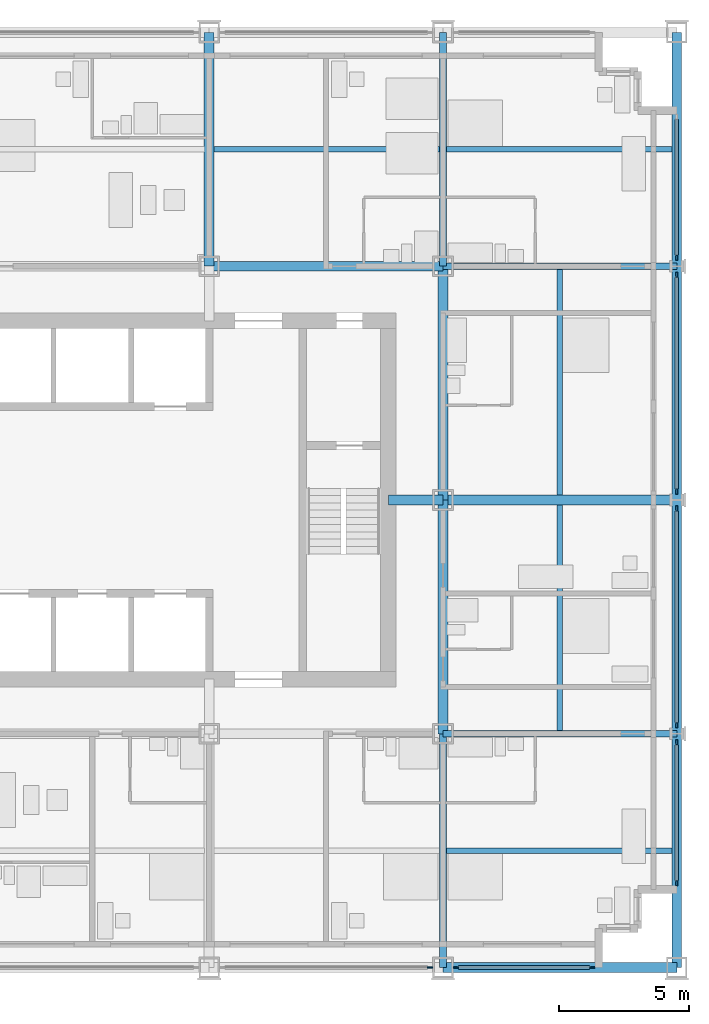
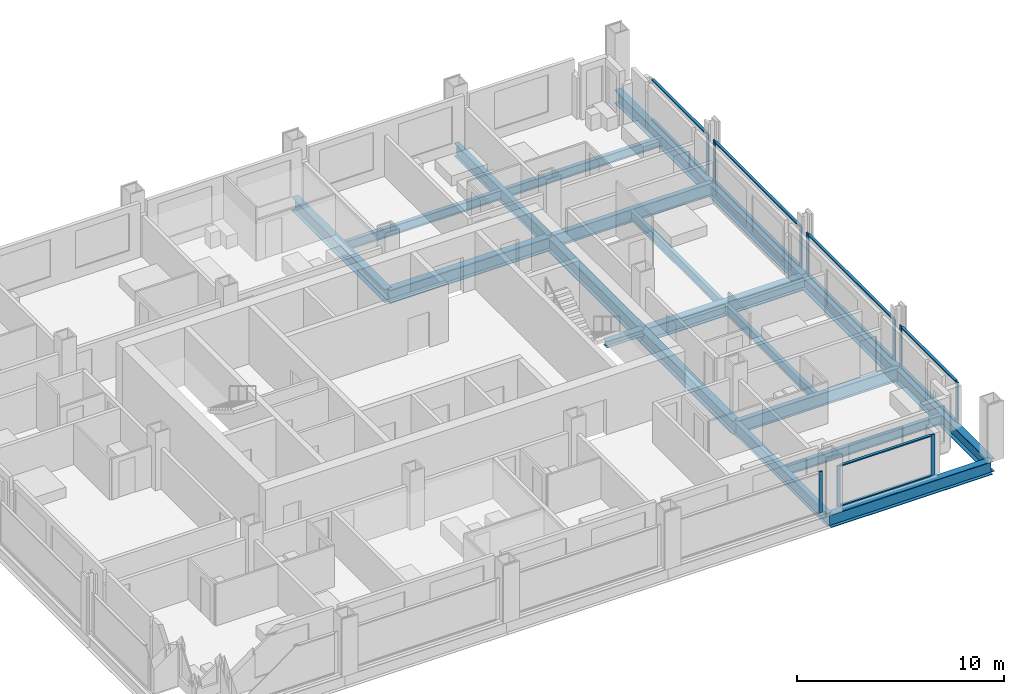
# One storey, part 5 of 16: 21 members, 19 beams, 6 elements without a shape of their own.
"""IFC4 building model written with IfcOpenShell, lengths in metres."""

from ifc_helpers import new_model, si_unit, direction, frame, origin, origin_2d, place, context, subcontext, project, spatial, rectangle, i_section, extrude, material, material_profile, profile_set, type_object, element, aggregate, save


model = new_model("IFC4")

# Units and contexts
model_context = context("Model", 3, precision=1e-05, world=origin(), true_north=direction((0.0, 1.0)))
body_context = subcontext(model_context, "Body", "Model", "MODEL_VIEW")
ifc_project = project(units=[si_unit("LENGTHUNIT", "METRE"), si_unit("AREAUNIT", "SQUARE_METRE"), si_unit("VOLUMEUNIT", "CUBIC_METRE"), si_unit("PLANEANGLEUNIT", "RADIAN"), si_unit("MASSUNIT", "GRAM", prefix="KILO")], contexts=[model_context])

# Site, building, storey
site_placement = place(None, origin())
site = spatial("IfcSite", under=ifc_project, at=site_placement, CompositionType="ELEMENT")
building_placement = place(site_placement, origin())
building = spatial("IfcBuilding", under=site, at=building_placement, Name="Loomwork Tower", CompositionType="ELEMENT")
storey_placement = place(building_placement, frame((0.0, 0.0, 121.39990234375)))
storey = spatial("IfcBuildingStorey", under=building, at=storey_placement, Name="L32", CompositionType="ELEMENT", Elevation=121.39990234375)

# Beams
ifc_material_1 = material(Name="Steel ASTM A992", Category="steel")
ifc_material_profile_1 = material_profile(ifc_material_1, i_section(OverallWidth=0.383544921875, OverallDepth=0.794921875, WebThickness=0.02099609375, FlangeThickness=0.0380859375, at=origin_2d()), Name="W30x235")
ifc_profile_set_1 = profile_set([ifc_material_profile_1], Name="Steel ASTM A992")
beam_type_1 = type_object("IfcBeamType", Name="CORE FLANK GIRDER W30x235", PredefinedType="BEAM", material=ifc_profile_set_1)
for number, where, z_axis, x_axis, name in (
    (1, (36.0, 18.0, -0.597412109375), (1.0, 0.0, 0.0), (0.0, 1.0, 0.0), "Core Flank Girder F/6-F/7 L32"),
    (2, (27.0, 27.0, -0.597412109375), (1.0, 0.0, 0.0), (0.0, 1.0, 0.0), "Core Flank Girder G/5-G/6 L32"),
    (3, (27.0, 27.0, -0.597412109375), (0.0, 1.0, 0.0), (-1.0, 0.0, 0.0), "Core Flank Girder G/5-H/5 L32"),
    (4, (36.0, 9.0, -0.597412109375), (0.0, 1.0, 0.0), (-1.0, 0.0, 0.0), "Core Flank Girder E/6-F/6 L32"),
    (5, (36.0, 18.0, -0.597412109375), (0.0, 1.0, 0.0), (-1.0, 0.0, 0.0), "Core Flank Girder F/6-G/6 L32"),
):
    element("IfcBeam", number, at=place(storey_placement, frame(where, z_axis=z_axis, x_axis=x_axis)), inside=storey, type_object=beam_type_1, Name=name, PredefinedType="BEAM", context=body_context, shape_type="SweptSolid", body=[
        extrude(i_section(OverallWidth=0.383544921875, OverallDepth=0.794921875, WebThickness=0.02099609375, FlangeThickness=0.0380859375, at=origin_2d()), origin(), (0.0, 0.0, 1.0), 9.0),
    ])

# Member
ifc_material_2 = material(Name="Steel ASTM A992", Category="steel")
ifc_material_profile_2 = material_profile(ifc_material_2, i_section(OverallWidth=0.373291015625, OverallDepth=0.373291015625, WebThickness=0.016357421875, FlangeThickness=0.026123046875, at=origin_2d()), Name="W14x132")
ifc_profile_set_2 = profile_set([ifc_material_profile_2], Name="Steel ASTM A992")
member_type_1 = type_object("IfcMemberType", Name="CORE LINK STRUT W14x132", PredefinedType="STRUT", material=ifc_profile_set_2)
member_1_placement = place(storey_placement, frame((36.0, 18.0, -0.386474609375), z_axis=(-1.0, 0.0, 0.0), x_axis=(0.0, -1.0, 0.0)))
element("IfcMember", 6, at=member_1_placement, inside=storey, type_object=member_type_1, Name="Core link strut F/6-33.900,18.000 L32", PredefinedType="STRUT", context=body_context, shape_type="SweptSolid", body=[
    extrude(i_section(OverallWidth=0.373291015625, OverallDepth=0.373291015625, WebThickness=0.016357421875, FlangeThickness=0.026123046875, at=origin_2d()), origin(), (0.0, 0.0, 1.0), 2.10009765625),
])

# Beams
ifc_material_3 = material(Name="Steel ASTM A992", Category="steel")
ifc_material_profile_3 = material_profile(ifc_material_3, i_section(OverallWidth=0.2666015625, OverallDepth=0.761962890625, WebThickness=0.014404296875, FlangeThickness=0.021484375, at=origin_2d()), Name="W30x116")
ifc_profile_set_3 = profile_set([ifc_material_profile_3], Name="Steel ASTM A992")
beam_type_2 = type_object("IfcBeamType", Name="FLOOR GIRDER W30x116", PredefinedType="BEAM", material=ifc_profile_set_3)
for number, where, z_axis, x_axis, name in (
    (7, (36.0, 9.0, -0.580810546875), (1.0, 0.0, 0.0), (0.0, 1.0, 0.0), "Floor Girder E/6-E/7 L32"),
    (8, (36.0, 27.0, -0.580810546875), (1.0, 0.0, 0.0), (0.0, 1.0, 0.0), "Floor Girder G/6-G/7 L32"),
    (9, (36.0, 0.0, -0.580810546875), (0.0, 1.0, 0.0), (-1.0, 0.0, 0.0), "Floor Girder D/6-E/6 L32"),
    (10, (36.0, 27.0, -0.580810546875), (0.0, 1.0, 0.0), (-1.0, 0.0, 0.0), "Floor Girder G/6-H/6 L32"),
):
    element("IfcBeam", number, at=place(storey_placement, frame(where, z_axis=z_axis, x_axis=x_axis)), inside=storey, type_object=beam_type_2, Name=name, PredefinedType="BEAM", context=body_context, shape_type="SweptSolid", body=[
        extrude(i_section(OverallWidth=0.2666015625, OverallDepth=0.761962890625, WebThickness=0.014404296875, FlangeThickness=0.021484375, at=origin_2d()), origin(), (0.0, 0.0, 1.0), 9.0),
    ])
ifc_material_4 = material(Name="Steel ASTM A992", Category="steel")
ifc_material_profile_4 = material_profile(ifc_material_4, i_section(OverallWidth=0.2109375, OverallDepth=0.53857421875, WebThickness=0.011474609375, FlangeThickness=0.018798828125, at=origin_2d()), Name="W21x73")
ifc_profile_set_4 = profile_set([ifc_material_profile_4], Name="Steel ASTM A992")
beam_type_3 = type_object("IfcBeamType", Name="FLOOR JOIST W21x73", PredefinedType="JOIST", material=ifc_profile_set_4)
beam_1_placement = place(storey_placement, frame((27.19091796875, 31.5, -0.46923828125), z_axis=(1.0, 0.0, 0.0), x_axis=(0.0, 1.0, 0.0)))
element("IfcBeam", 11, at=beam_1_placement, inside=storey, type_object=beam_type_3, Name="Floor Joist 27.000,31.500-36.000,31.500 L32", PredefinedType="JOIST", context=body_context, shape_type="SweptSolid", body=[
    extrude(i_section(OverallWidth=0.2109375, OverallDepth=0.53857421875, WebThickness=0.011474609375, FlangeThickness=0.018798828125, at=origin_2d()), origin(), (0.0, 0.0, 1.0), 8.676025390625),
])
beam_2_placement = place(storey_placement, frame((36.133056640625, 4.5, -0.46923828125), z_axis=(1.0, 0.0, 0.0), x_axis=(0.0, 1.0, 0.0)))
element("IfcBeam", 12, at=beam_2_placement, inside=storey, type_object=beam_type_3, Name="Floor Joist 36.000,4.500-45.000,4.500 L32", PredefinedType="JOIST", context=body_context, shape_type="SweptSolid", body=[
    extrude(i_section(OverallWidth=0.2109375, OverallDepth=0.53857421875, WebThickness=0.011474609375, FlangeThickness=0.018798828125, at=origin_2d()), origin(), (0.0, 0.0, 1.0), 8.677001953125),
])
for number, where, z_axis, x_axis, name in (
    (13, (40.5, 9.133056640625, -0.46923828125), (0.0, 1.0, 0.0), (-1.0, 0.0, 0.0), "Floor Joist 40.500,9.000-40.500,18.000 L32"),
    (14, (40.5, 18.19091796875, -0.46923828125), (0.0, 1.0, 0.0), (-1.0, 0.0, 0.0), "Floor Joist 40.500,18.000-40.500,27.000 L32"),
):
    element("IfcBeam", number, at=place(storey_placement, frame(where, z_axis=z_axis, x_axis=x_axis)), inside=storey, type_object=beam_type_3, Name=name, PredefinedType="JOIST", context=body_context, shape_type="SweptSolid", body=[
        extrude(i_section(OverallWidth=0.2109375, OverallDepth=0.53857421875, WebThickness=0.011474609375, FlangeThickness=0.018798828125, at=origin_2d()), origin(), (0.0, 0.0, 1.0), 8.676025390625),
    ])
beam_3_placement = place(storey_placement, frame((36.133056640625, 31.5, -0.46923828125), z_axis=(1.0, 0.0, 0.0), x_axis=(0.0, 1.0, 0.0)))
element("IfcBeam", 15, at=beam_3_placement, inside=storey, type_object=beam_type_3, Name="Floor Joist 36.000,31.500-45.000,31.500 L32", PredefinedType="JOIST", context=body_context, shape_type="SweptSolid", body=[
    extrude(i_section(OverallWidth=0.2109375, OverallDepth=0.53857421875, WebThickness=0.011474609375, FlangeThickness=0.018798828125, at=origin_2d()), origin(), (0.0, 0.0, 1.0), 8.677001953125),
])

# Curtain wall, member
ifc_material_5 = material(Name="Aluminium curtain wall frame", Category="aluminium")
curtain_wall_type = type_object("IfcCurtainWallType", Name="Outer skin glazing hotel", PredefinedType="NOTDEFINED", material=ifc_material_5)
curtain_wall_1_placement = place(storey_placement, origin())
curtain_wall_1 = element("IfcCurtainWall", 16, at=curtain_wall_1_placement, inside=storey, type_object=curtain_wall_type, Name="Outer skin glazing hotel cw/S-27", PredefinedType="NOTDEFINED")
ifc_material_6 = material(Name="Aluminium curtain wall frame", Category="aluminium")
ifc_material_profile_5 = material_profile(ifc_material_6, rectangle(XDim=0.06494140625, YDim=0.199951171875, at=origin_2d()), Name="AL 65x200")
ifc_profile_set_5 = profile_set([ifc_material_profile_5], Name="Aluminium curtain wall frame")
member_type_2 = type_object("IfcMemberType", Name="Outer skin glazing hotel mullion", PredefinedType="MULLION", material=ifc_profile_set_5)
member_2_placement = place(storey_placement, frame((35.5, 0.0, 0.0), z_axis=(0.0, 0.0, 1.0), x_axis=(0.0, 1.0, 0.0)))
member_2 = element("IfcMember", 17, at=member_2_placement, type_object=member_type_2, Name="CW1 mullion 2", PredefinedType="MULLION", context=body_context, shape_type="SweptSolid", body=[
    extrude(rectangle(XDim=0.06494140625, YDim=0.199951171875, at=origin_2d()), origin(), (0.0, 0.0, 1.0), 2.42041015625),
])
aggregate(curtain_wall_1, [member_2])

# Curtain wall, members
curtain_wall_2_placement = place(storey_placement, origin())
curtain_wall_2 = element("IfcCurtainWall", 18, at=curtain_wall_2_placement, inside=storey, type_object=curtain_wall_type, Name="Outer skin glazing hotel cw/S-36", PredefinedType="NOTDEFINED")
member_3_placement = place(storey_placement, frame((36.5, 0.0, 0.0), z_axis=(0.0, 0.0, 1.0), x_axis=(0.0, 1.0, 0.0)))
member_3 = element("IfcMember", 19, at=member_3_placement, type_object=member_type_2, Name="CW1 mullion 1", PredefinedType="MULLION", context=body_context, shape_type="SweptSolid", body=[
    extrude(rectangle(XDim=0.06494140625, YDim=0.199951171875, at=origin_2d()), origin(), (0.0, 0.0, 1.0), 2.42041015625),
])
member_4_placement = place(storey_placement, frame((41.75, 0.0, 0.0), z_axis=(0.0, 0.0, 1.0), x_axis=(0.0, 1.0, 0.0)))
member_4 = element("IfcMember", 20, at=member_4_placement, type_object=member_type_2, Name="CW1 mullion 2", PredefinedType="MULLION", context=body_context, shape_type="SweptSolid", body=[
    extrude(rectangle(XDim=0.06494140625, YDim=0.199951171875, at=origin_2d()), origin(), (0.0, 0.0, 1.0), 2.42041015625),
])

curtain_wall_3_placement = place(storey_placement, origin())
curtain_wall_3 = element("IfcCurtainWall", 21, at=curtain_wall_3_placement, inside=storey, type_object=curtain_wall_type, Name="Outer skin glazing hotel cw/E-0", PredefinedType="NOTDEFINED")
member_5_placement = place(storey_placement, frame((45.0, 3.25, 0.0), z_axis=(0.0, 0.0, 1.0), x_axis=(-1.0, 0.0, 0.0)))
member_5 = element("IfcMember", 22, at=member_5_placement, type_object=member_type_2, Name="CW1 mullion 1", PredefinedType="MULLION", context=body_context, shape_type="SweptSolid", body=[
    extrude(rectangle(XDim=0.06494140625, YDim=0.199951171875, at=origin_2d()), origin(), (0.0, 0.0, 1.0), 2.42041015625),
])
member_6_placement = place(storey_placement, frame((45.0, 8.67529296875, 0.0), z_axis=(0.0, 0.0, 1.0), x_axis=(-1.0, 0.0, 0.0)))
member_6 = element("IfcMember", 23, at=member_6_placement, type_object=member_type_2, Name="CW1 mullion 2", PredefinedType="MULLION", context=body_context, shape_type="SweptSolid", body=[
    extrude(rectangle(XDim=0.06494140625, YDim=0.199951171875, at=origin_2d()), origin(), (0.0, 0.0, 1.0), 2.42041015625),
])

curtain_wall_4_placement = place(storey_placement, origin())
curtain_wall_4 = element("IfcCurtainWall", 24, at=curtain_wall_4_placement, inside=storey, type_object=curtain_wall_type, Name="Outer skin glazing hotel cw/E-9", PredefinedType="NOTDEFINED")
member_7_placement = place(storey_placement, frame((45.0, 9.32470703125, 0.0), z_axis=(0.0, 0.0, 1.0), x_axis=(-1.0, 0.0, 0.0)))
member_7 = element("IfcMember", 25, at=member_7_placement, type_object=member_type_2, Name="CW1 mullion 1", PredefinedType="MULLION", context=body_context, shape_type="SweptSolid", body=[
    extrude(rectangle(XDim=0.06494140625, YDim=0.199951171875, at=origin_2d()), origin(), (0.0, 0.0, 1.0), 2.42041015625),
])
member_8_placement = place(storey_placement, frame((45.0, 17.67529296875, 0.0), z_axis=(0.0, 0.0, 1.0), x_axis=(-1.0, 0.0, 0.0)))
member_8 = element("IfcMember", 26, at=member_8_placement, type_object=member_type_2, Name="CW1 mullion 2", PredefinedType="MULLION", context=body_context, shape_type="SweptSolid", body=[
    extrude(rectangle(XDim=0.06494140625, YDim=0.199951171875, at=origin_2d()), origin(), (0.0, 0.0, 1.0), 2.42041015625),
])

curtain_wall_5_placement = place(storey_placement, origin())
curtain_wall_5 = element("IfcCurtainWall", 27, at=curtain_wall_5_placement, inside=storey, type_object=curtain_wall_type, Name="Outer skin glazing hotel cw/E-18", PredefinedType="NOTDEFINED")
member_9_placement = place(storey_placement, frame((45.0, 18.32470703125, 0.0), z_axis=(0.0, 0.0, 1.0), x_axis=(-1.0, 0.0, 0.0)))
member_9 = element("IfcMember", 28, at=member_9_placement, type_object=member_type_2, Name="CW1 mullion 1", PredefinedType="MULLION", context=body_context, shape_type="SweptSolid", body=[
    extrude(rectangle(XDim=0.06494140625, YDim=0.199951171875, at=origin_2d()), origin(), (0.0, 0.0, 1.0), 2.42041015625),
])
member_10_placement = place(storey_placement, frame((45.0, 26.67529296875, 0.0), z_axis=(0.0, 0.0, 1.0), x_axis=(-1.0, 0.0, 0.0)))
member_10 = element("IfcMember", 29, at=member_10_placement, type_object=member_type_2, Name="CW1 mullion 2", PredefinedType="MULLION", context=body_context, shape_type="SweptSolid", body=[
    extrude(rectangle(XDim=0.06494140625, YDim=0.199951171875, at=origin_2d()), origin(), (0.0, 0.0, 1.0), 2.42041015625),
])

# Curtain wall, member
curtain_wall_6_placement = place(storey_placement, origin())
curtain_wall_6 = element("IfcCurtainWall", 30, at=curtain_wall_6_placement, inside=storey, type_object=curtain_wall_type, Name="Outer skin glazing hotel cw/E-27", PredefinedType="NOTDEFINED")
member_11_placement = place(storey_placement, frame((45.0, 27.32470703125, 0.0), z_axis=(0.0, 0.0, 1.0), x_axis=(-1.0, 0.0, 0.0)))
member_11 = element("IfcMember", 31, at=member_11_placement, type_object=member_type_2, Name="CW1 mullion 1", PredefinedType="MULLION", context=body_context, shape_type="SweptSolid", body=[
    extrude(rectangle(XDim=0.06494140625, YDim=0.199951171875, at=origin_2d()), origin(), (0.0, 0.0, 1.0), 2.42041015625),
])

# Member
ifc_material_7 = material(Name="Aluminium curtain wall frame", Category="aluminium")
ifc_material_profile_6 = material_profile(ifc_material_7, rectangle(XDim=0.14990234375, YDim=0.06494140625, at=origin_2d()), Name="AL 65x150")
ifc_profile_set_6 = profile_set([ifc_material_profile_6], Name="Aluminium curtain wall frame")
member_type_3 = type_object("IfcMemberType", Name="Outer skin glazing hotel transom", PredefinedType="USERDEFINED", material=ifc_profile_set_6)
member_12_placement = place(storey_placement, frame((36.60009765625, 0.0, 0.03271484375), z_axis=(1.0, 0.0, 0.0), x_axis=(0.0, 1.0, 0.0)))
member_12 = element("IfcMember", 32, at=member_12_placement, type_object=member_type_3, Name="CW1 transom 1.1", ObjectType="TRANSOM", PredefinedType="USERDEFINED", context=body_context, shape_type="SweptSolid", body=[
    extrude(rectangle(XDim=0.14990234375, YDim=0.06494140625, at=origin_2d()), origin(), (0.0, 0.0, 1.0), 5.0498046875),
])

member_13_placement = place(storey_placement, frame((36.60009765625, 0.0, 2.3876953125), z_axis=(1.0, 0.0, 0.0), x_axis=(0.0, 1.0, 0.0)))
member_13 = element("IfcMember", 33, at=member_13_placement, type_object=member_type_3, Name="CW1 transom 1.2", ObjectType="TRANSOM", PredefinedType="USERDEFINED", context=body_context, shape_type="SweptSolid", body=[
    extrude(rectangle(XDim=0.14990234375, YDim=0.06494140625, at=origin_2d()), origin(), (0.0, 0.0, 1.0), 5.0498046875),
])

aggregate(curtain_wall_2, [member_3, member_4, member_12, member_13])

member_14_placement = place(storey_placement, frame((45.0, 3.35009765625, 0.03271484375), z_axis=(0.0, 1.0, 0.0), x_axis=(-1.0, 0.0, 0.0)))
member_14 = element("IfcMember", 34, at=member_14_placement, type_object=member_type_3, Name="CW1 transom 1.1", ObjectType="TRANSOM", PredefinedType="USERDEFINED", context=body_context, shape_type="SweptSolid", body=[
    extrude(rectangle(XDim=0.14990234375, YDim=0.06494140625, at=origin_2d()), origin(), (0.0, 0.0, 1.0), 5.22509765625),
])

member_15_placement = place(storey_placement, frame((45.0, 3.35009765625, 2.3876953125), z_axis=(0.0, 1.0, 0.0), x_axis=(-1.0, 0.0, 0.0)))
member_15 = element("IfcMember", 35, at=member_15_placement, type_object=member_type_3, Name="CW1 transom 1.2", ObjectType="TRANSOM", PredefinedType="USERDEFINED", context=body_context, shape_type="SweptSolid", body=[
    extrude(rectangle(XDim=0.14990234375, YDim=0.06494140625, at=origin_2d()), origin(), (0.0, 0.0, 1.0), 5.22509765625),
])

aggregate(curtain_wall_3, [member_5, member_6, member_14, member_15])

member_16_placement = place(storey_placement, frame((45.0, 9.4248046875, 0.03271484375), z_axis=(0.0, 1.0, 0.0), x_axis=(-1.0, 0.0, 0.0)))
member_16 = element("IfcMember", 36, at=member_16_placement, type_object=member_type_3, Name="CW1 transom 1.1", ObjectType="TRANSOM", PredefinedType="USERDEFINED", context=body_context, shape_type="SweptSolid", body=[
    extrude(rectangle(XDim=0.14990234375, YDim=0.06494140625, at=origin_2d()), origin(), (0.0, 0.0, 1.0), 8.150390625),
])

member_17_placement = place(storey_placement, frame((45.0, 9.4248046875, 2.3876953125), z_axis=(0.0, 1.0, 0.0), x_axis=(-1.0, 0.0, 0.0)))
member_17 = element("IfcMember", 37, at=member_17_placement, type_object=member_type_3, Name="CW1 transom 1.2", ObjectType="TRANSOM", PredefinedType="USERDEFINED", context=body_context, shape_type="SweptSolid", body=[
    extrude(rectangle(XDim=0.14990234375, YDim=0.06494140625, at=origin_2d()), origin(), (0.0, 0.0, 1.0), 8.150390625),
])

aggregate(curtain_wall_4, [member_7, member_8, member_16, member_17])

member_18_placement = place(storey_placement, frame((45.0, 18.4248046875, 0.03271484375), z_axis=(0.0, 1.0, 0.0), x_axis=(-1.0, 0.0, 0.0)))
member_18 = element("IfcMember", 38, at=member_18_placement, type_object=member_type_3, Name="CW1 transom 1.1", ObjectType="TRANSOM", PredefinedType="USERDEFINED", context=body_context, shape_type="SweptSolid", body=[
    extrude(rectangle(XDim=0.14990234375, YDim=0.06494140625, at=origin_2d()), origin(), (0.0, 0.0, 1.0), 8.150390625),
])

member_19_placement = place(storey_placement, frame((45.0, 18.4248046875, 2.3876953125), z_axis=(0.0, 1.0, 0.0), x_axis=(-1.0, 0.0, 0.0)))
member_19 = element("IfcMember", 39, at=member_19_placement, type_object=member_type_3, Name="CW1 transom 1.2", ObjectType="TRANSOM", PredefinedType="USERDEFINED", context=body_context, shape_type="SweptSolid", body=[
    extrude(rectangle(XDim=0.14990234375, YDim=0.06494140625, at=origin_2d()), origin(), (0.0, 0.0, 1.0), 8.150390625),
])

aggregate(curtain_wall_5, [member_9, member_10, member_18, member_19])

member_20_placement = place(storey_placement, frame((45.0, 27.4248046875, 0.03271484375), z_axis=(0.0, 1.0, 0.0), x_axis=(-1.0, 0.0, 0.0)))
member_20 = element("IfcMember", 40, at=member_20_placement, type_object=member_type_3, Name="CW1 transom 1.1", ObjectType="TRANSOM", PredefinedType="USERDEFINED", context=body_context, shape_type="SweptSolid", body=[
    extrude(rectangle(XDim=0.14990234375, YDim=0.06494140625, at=origin_2d()), origin(), (0.0, 0.0, 1.0), 5.22509765625),
])

member_21_placement = place(storey_placement, frame((45.0, 27.4248046875, 2.3876953125), z_axis=(0.0, 1.0, 0.0), x_axis=(-1.0, 0.0, 0.0)))
member_21 = element("IfcMember", 41, at=member_21_placement, type_object=member_type_3, Name="CW1 transom 1.2", ObjectType="TRANSOM", PredefinedType="USERDEFINED", context=body_context, shape_type="SweptSolid", body=[
    extrude(rectangle(XDim=0.14990234375, YDim=0.06494140625, at=origin_2d()), origin(), (0.0, 0.0, 1.0), 5.22509765625),
])

aggregate(curtain_wall_6, [member_11, member_20, member_21])

# Beams
ifc_material_8 = material(Name="Steel ASTM A992", Category="steel")
ifc_material_profile_7 = material_profile(ifc_material_8, i_section(OverallWidth=0.381103515625, OverallDepth=0.77978515625, WebThickness=0.01806640625, FlangeThickness=0.0302734375, at=origin_2d()), Name="W30x191")
ifc_profile_set_7 = profile_set([ifc_material_profile_7], Name="Steel ASTM A992")
beam_type_4 = type_object("IfcBeamType", Name="SPANDREL GIRDER W30x191", PredefinedType="SPANDREL", material=ifc_profile_set_7)
for number, where, z_axis, x_axis, name in (
    (42, (36.0, 0.0, -0.58984375), (1.0, 0.0, 0.0), (0.0, 1.0, 0.0), "Spandrel Girder D/6-D/7 L32"),
    (43, (45.0, 0.0, -0.58984375), (0.0, 1.0, 0.0), (-1.0, 0.0, 0.0), "Spandrel Girder D/7-E/7 L32"),
    (44, (45.0, 9.0, -0.58984375), (0.0, 1.0, 0.0), (-1.0, 0.0, 0.0), "Spandrel Girder E/7-F/7 L32"),
    (45, (45.0, 18.0, -0.58984375), (0.0, 1.0, 0.0), (-1.0, 0.0, 0.0), "Spandrel Girder F/7-G/7 L32"),
    (46, (45.0, 27.0, -0.58984375), (0.0, 1.0, 0.0), (-1.0, 0.0, 0.0), "Spandrel Girder G/7-H/7 L32"),
):
    element("IfcBeam", number, at=place(storey_placement, frame(where, z_axis=z_axis, x_axis=x_axis)), inside=storey, type_object=beam_type_4, Name=name, PredefinedType="SPANDREL", context=body_context, shape_type="SweptSolid", body=[
        extrude(i_section(OverallWidth=0.381103515625, OverallDepth=0.77978515625, WebThickness=0.01806640625, FlangeThickness=0.0302734375, at=origin_2d()), origin(), (0.0, 0.0, 1.0), 9.0),
    ])

save(model, "model.ifc")
